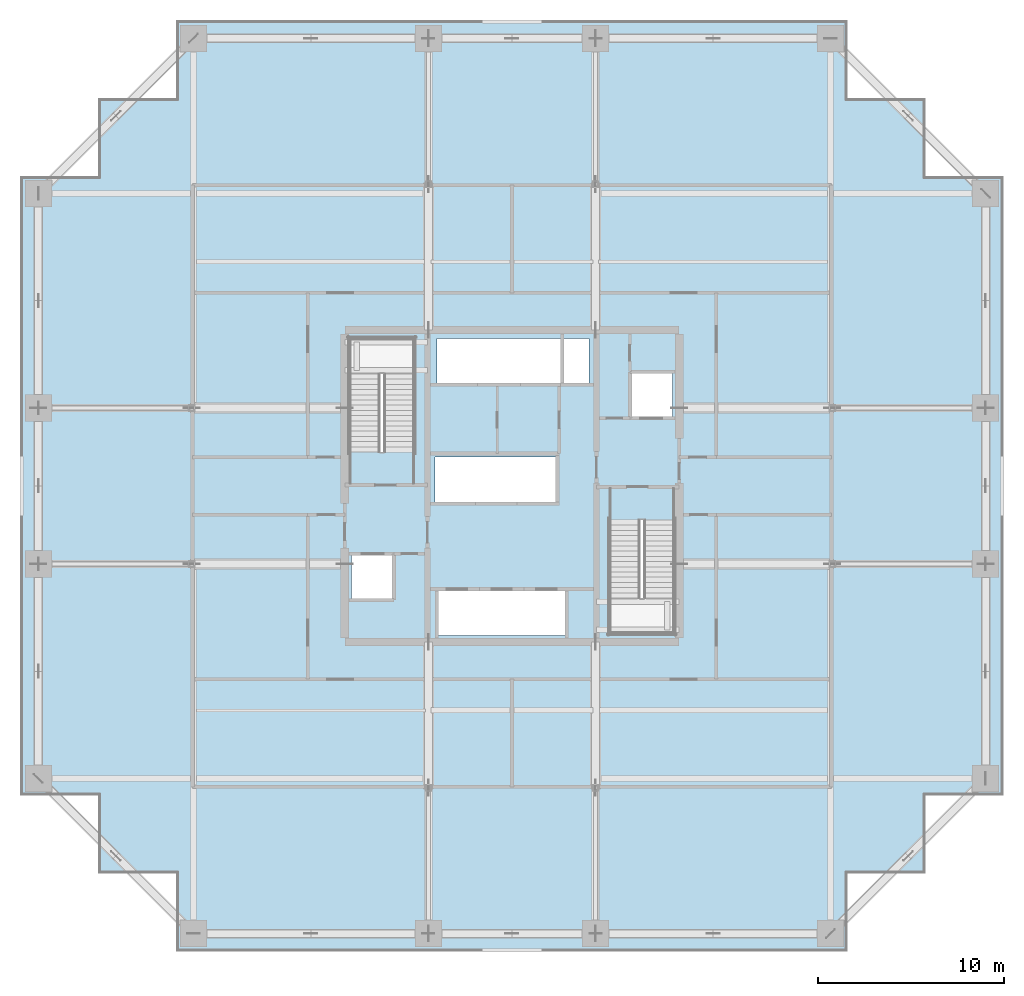
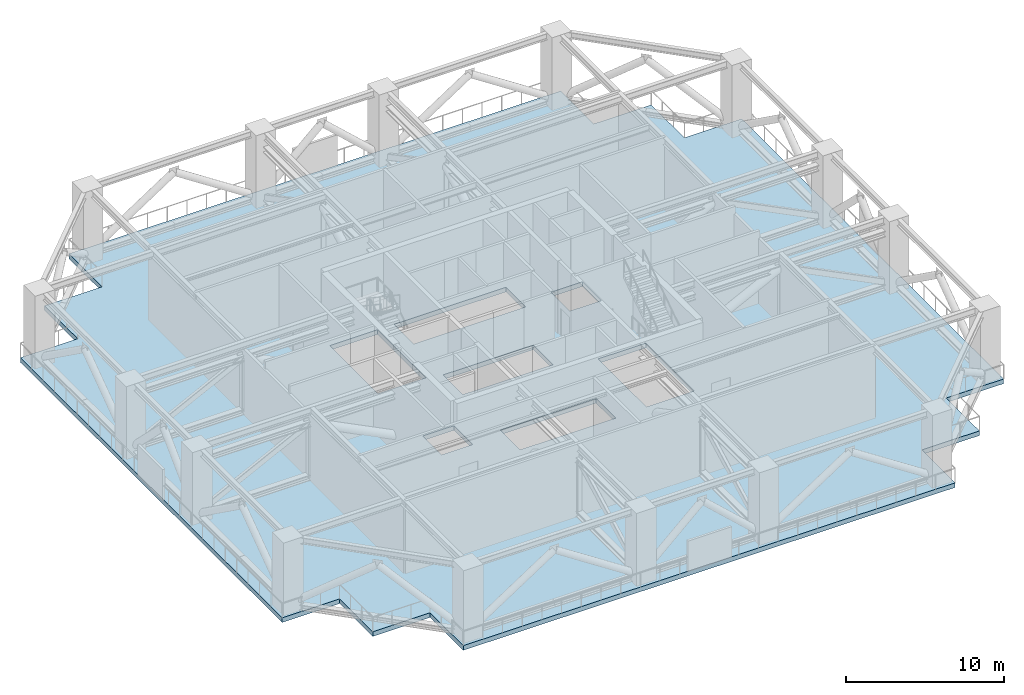
# One storey, part 7 of 21: 1 slab.
"""IFC4 building model written with IfcOpenShell, lengths in metres."""

from ifc_helpers import new_model, si_unit, direction, frame, origin, place, context, subcontext, project, spatial, polyline, outline, extrude, material, layer, layer_set, type_object, element, save


model = new_model("IFC4")

# Units and contexts
model_context = context("Model", 3, precision=1e-05, world=origin(), true_north=direction((0.0, 1.0)))
body_context = subcontext(model_context, "Body", "Model", "MODEL_VIEW")
ifc_project = project(units=[si_unit("LENGTHUNIT", "METRE"), si_unit("AREAUNIT", "SQUARE_METRE"), si_unit("VOLUMEUNIT", "CUBIC_METRE"), si_unit("PLANEANGLEUNIT", "RADIAN"), si_unit("MASSUNIT", "GRAM", prefix="KILO")], contexts=[model_context])

# Site, building, storey
site_placement = place(None, origin())
site = spatial("IfcSite", under=ifc_project, at=site_placement, CompositionType="ELEMENT")
building_placement = place(site_placement, origin())
building = spatial("IfcBuilding", under=site, at=building_placement, Name="Serunith Strait Residences", CompositionType="ELEMENT")
storey_placement = place(building_placement, frame((0.0, 0.0, 109.199951171875)))
storey = spatial("IfcBuildingStorey", under=building, at=storey_placement, Name="L27", CompositionType="ELEMENT", Elevation=109.199951171875)

# Slab
ifc_material = material(Name="Concrete C70/85", Category="concrete")
ifc_layer = layer(ifc_material, 0.360107421875, Name="Concrete C70/85")
ifc_layer_set = layer_set([ifc_layer], Name="Concrete C70/85")
slab_type = type_object("IfcSlabType", Name="SLB-PLT-360", PredefinedType="FLOOR", material=ifc_layer_set)
slab_placement = place(storey_placement, frame((0.0, 0.0, -0.35986328125)))
element("IfcSlab", 1, at=slab_placement, inside=storey, type_object=slab_type, Name="L27 Structural Floor Plate", PredefinedType="FLOOR", context=body_context, shape_type="SweptSolid", body=[
    extrude(outline(polyline([(14.39990234375, 4.39990234375), (10.199951171875, 4.39990234375), (10.199951171875, 8.60009765625), (6.0, 8.60009765625), (6.0, 41.800048828125), (10.199951171875, 41.800048828125), (10.199951171875, 46.0), (14.39990234375, 46.0), (14.39990234375, 50.199951171875), (50.39990234375, 50.199951171875), (50.39990234375, 46.0), (54.60009765625, 46.0), (54.60009765625, 41.800048828125), (58.800048828125, 41.800048828125), (58.800048828125, 8.60009765625), (54.60009765625, 8.60009765625), (54.60009765625, 4.39990234375), (50.39990234375, 4.39990234375), (50.39990234375, 0.199951171875), (14.39990234375, 0.199951171875), (14.39990234375, 4.39990234375)]), holes=[polyline([(41.14990234375, 17.25), (41.14990234375, 23.3701171875), (37.64990234375, 23.3701171875), (37.64990234375, 17.25), (41.14990234375, 17.25)]), polyline([(41.050048828125, 31.25), (38.75, 31.25), (38.75, 28.85009765625), (41.050048828125, 28.85009765625), (41.050048828125, 31.25)]), polyline([(36.550048828125, 33.14990234375), (28.35009765625, 33.14990234375), (28.35009765625, 30.64990234375), (36.550048828125, 30.64990234375), (36.550048828125, 33.14990234375)]), polyline([(28.35009765625, 19.64990234375), (28.35009765625, 17.14990234375), (35.35009765625, 17.14990234375), (35.35009765625, 19.64990234375), (28.35009765625, 19.64990234375)]), polyline([(34.85009765625, 26.75), (28.25, 26.75), (28.25, 24.25), (34.85009765625, 24.25), (34.85009765625, 26.75)]), polyline([(23.64990234375, 33.14990234375), (23.64990234375, 27.030029296875), (27.14990234375, 27.030029296875), (27.14990234375, 33.14990234375), (23.64990234375, 33.14990234375)]), polyline([(26.050048828125, 21.550048828125), (23.75, 21.550048828125), (23.75, 19.14990234375), (26.050048828125, 19.14990234375), (26.050048828125, 21.550048828125)])]), origin(), (0.0, 0.0, 1.0), 0.35986328125),
])

save(model, "model.ifc")
